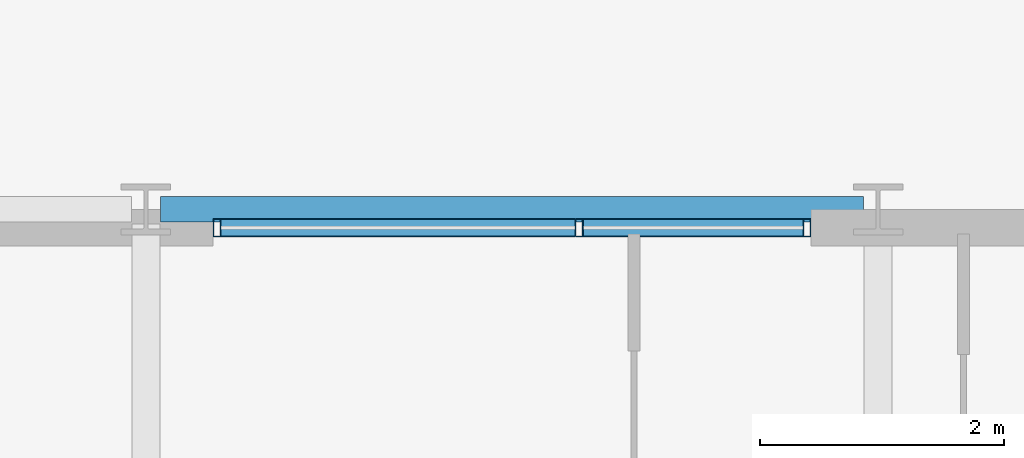
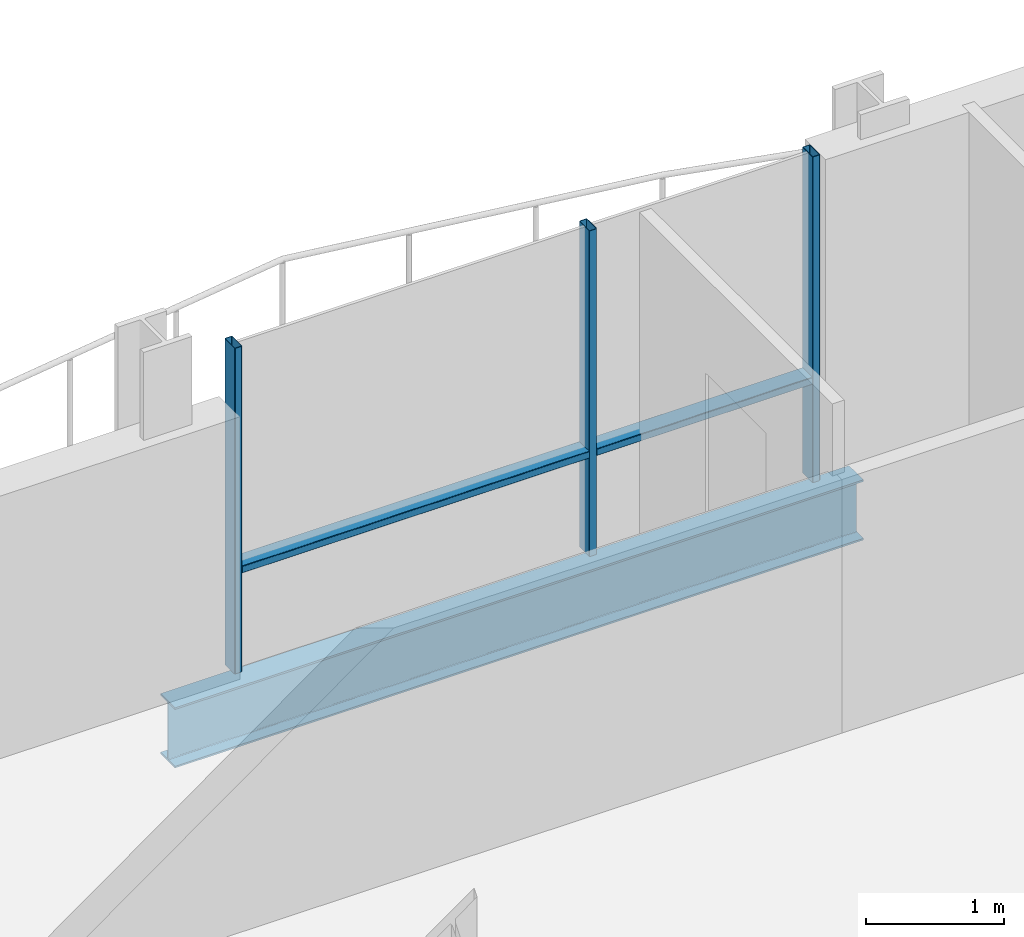
# One storey, part 26 of 41: 5 members, 1 beam, 1 element without a shape of its own.
"""IFC4 building model written with IfcOpenShell, lengths in metres."""

import ifcopenshell
import ifcopenshell.guid

model = None  # the IFC model being written
_history = None  # IfcOwnerHistory: only IFC2X3 demands one
_inside = {}  # id of a spatial element -> (the spatial element, [elements in it])
_under = {}  # id of a project, library or spatial element -> (it, [spatial elements below it])
_declared = {}  # id of a project -> (the project, [libraries it declares])
_typed = {}  # id of a type object -> (the type object, [elements of that type])
_made_of = {}  # id of a material, layer set ... -> (it, [elements and type objects made of it])


def new_model(schema):
    """Start an empty IFC model of exactly this schema.

    Asked for "IFC4X3", IfcOpenShell would pick the latest addendum, in which some entities
    have other attributes; the version numbers below select the first issue.
    IFC2X3 requires an IfcOwnerHistory on every rooted entity: one is made here for all.
    """
    global model, _history
    if schema == "IFC4X3":
        model = ifcopenshell.file(schema_version=(4, 3, 0, 0))
    else:
        model = ifcopenshell.file(schema=schema)
    _inside.clear()
    _under.clear()
    _declared.clear()
    _typed.clear()
    _made_of.clear()
    _history = None
    if model.schema == "IFC2X3":
        org = make("IfcOrganization", Name="unknown")
        user = make(
            "IfcPersonAndOrganization",
            ThePerson=make("IfcPerson", FamilyName="unknown"),
            TheOrganization=org,
        )
        app = make(
            "IfcApplication",
            ApplicationDeveloper=org,
            Version="unknown",
            ApplicationFullName="unknown",
            ApplicationIdentifier="unknown",
        )
        _history = make(
            "IfcOwnerHistory",
            OwningUser=user,
            OwningApplication=app,
            ChangeAction="ADDED",
            CreationDate=0,
        )
    return model


def make(cls, **values):
    """One entity of the class cls with the attributes given. An attribute that is None is left unset."""
    return model.create_entity(
        cls, **{name: value for name, value in values.items() if value is not None}
    )


def rooted(cls, **values):
    """An entity with a GlobalId (a new one), such as an element, a storey or a relation."""
    return make(cls, GlobalId=ifcopenshell.guid.new(), OwnerHistory=_history, **values)


def si_unit(unit_type, name, prefix=None):
    """IfcSIUnit, for example si_unit("LENGTHUNIT", "METRE", prefix="MILLI")."""
    return make("IfcSIUnit", UnitType=unit_type, Prefix=prefix, Name=name)


def assignment(units):
    """IfcUnitAssignment: the units of a project."""
    return None if units is None else make("IfcUnitAssignment", Units=units)


def point(xyz):
    """IfcCartesianPoint."""
    return None if xyz is None else make("IfcCartesianPoint", Coordinates=xyz)


def direction(xyz):
    """IfcDirection."""
    return None if xyz is None else make("IfcDirection", DirectionRatios=xyz)


def frame(location, z_axis=None, x_axis=None):
    """IfcAxis2Placement3D, a coordinate frame: its origin and axes. An axis left out is left unset."""
    return make(
        "IfcAxis2Placement3D",
        Location=point(location),
        Axis=direction(z_axis),
        RefDirection=direction(x_axis),
    )


def frame_2d(location, x_axis=None):
    """IfcAxis2Placement2D, a coordinate frame in the plane: its origin and x axis."""
    return make(
        "IfcAxis2Placement2D", Location=point(location), RefDirection=direction(x_axis)
    )


def origin():
    """The frame at (0, 0, 0) with its axes left unset."""
    return frame((0.0, 0.0, 0.0))


def origin_2d():
    """The frame at (0, 0) in the plane with its x axis left unset."""
    return frame_2d((0.0, 0.0))


def place(relative_to, where):
    """IfcLocalPlacement: puts the frame where relative to a parent placement (None: the world)."""
    return make(
        "IfcLocalPlacement", PlacementRelTo=relative_to, RelativePlacement=where
    )


def context(
    kind, dimensions, precision=None, world=None, true_north=None, identifier=None
):
    """IfcGeometricRepresentationContext, for example the 3D "Model" context."""
    return make(
        "IfcGeometricRepresentationContext",
        ContextIdentifier=identifier,
        ContextType=kind,
        CoordinateSpaceDimension=dimensions,
        Precision=precision,
        WorldCoordinateSystem=world,
        TrueNorth=true_north,
    )


def subcontext(parent, identifier, kind, view, scale=None):
    """IfcGeometricRepresentationSubContext, for example "Body" below "Model"."""
    return make(
        "IfcGeometricRepresentationSubContext",
        ContextIdentifier=identifier,
        ContextType=kind,
        ParentContext=parent,
        TargetScale=scale,
        TargetView=view,
    )


def project(units=None, contexts=None):
    """IfcProject with its units and contexts."""
    return rooted(
        "IfcProject",
        Name="project",
        RepresentationContexts=contexts,
        UnitsInContext=assignment(units),
    )


def spatial(cls, under=None, at=None, **own):
    """A site, building, storey or space (cls), placed at a placement, below another one or the project."""
    s = rooted(cls, ObjectPlacement=at, **own)
    if under is not None:
        _under.setdefault(under.id(), (under, []))[1].append(s)
    return s


def profile(cls, at=None, kind="AREA", **sizes):
    """A parametric profile (cls). Its sizes go by their IFC names, for example OverallWidth=200.0."""
    return make(cls, ProfileType=kind, Position=at, **sizes)


def hollow_rectangle(**sizes):
    """IfcRectangleHollowProfileDef."""
    return profile("IfcRectangleHollowProfileDef", **sizes)


def i_section(**sizes):
    """IfcIShapeProfileDef."""
    return profile("IfcIShapeProfileDef", **sizes)


def extrude(swept, where, along, depth):
    """IfcExtrudedAreaSolid: the profile swept, set in the frame where, extruded along a direction by depth."""
    return make(
        "IfcExtrudedAreaSolid",
        SweptArea=swept,
        Position=where,
        ExtrudedDirection=direction(along),
        Depth=depth,
    )


def shape(context_of_items, identifier, shape_type, items):
    """IfcShapeRepresentation: the items that make up one representation, for example the "Body"."""
    return make(
        "IfcShapeRepresentation",
        ContextOfItems=context_of_items,
        RepresentationIdentifier=identifier,
        RepresentationType=shape_type,
        Items=items,
    )


def material(Name=None, Category=None):
    """IfcMaterial."""
    return make("IfcMaterial", Name=Name, Category=Category)


def layer(
    of_material, thickness, ventilated=None, Name=None, Category=None, Priority=None
):
    """IfcMaterialLayer: one layer of a wall or slab, of a material (None: an air gap)."""
    return make(
        "IfcMaterialLayer",
        Material=of_material,
        LayerThickness=thickness,
        IsVentilated=ventilated,
        Name=Name,
        Category=Category,
        Priority=Priority,
    )


def layer_set(layers, Name=None):
    """IfcMaterialLayerSet."""
    return make("IfcMaterialLayerSet", MaterialLayers=layers, LayerSetName=Name)


def material_profile(
    of_material, cross_section, Name=None, Category=None, Priority=None
):
    """IfcMaterialProfile: a cross section and its material."""
    return make(
        "IfcMaterialProfile",
        Name=Name,
        Material=of_material,
        Profile=cross_section,
        Priority=Priority,
        Category=Category,
    )


def profile_set(profiles, Name=None, composite=None):
    """IfcMaterialProfileSet."""
    return make(
        "IfcMaterialProfileSet",
        Name=Name,
        MaterialProfiles=profiles,
        CompositeProfile=composite,
    )


def made_of(thing, what):
    """Note that an element or type object is made of a material, layer set ...; save() writes the relation."""
    if what is not None:
        _made_of.setdefault(what.id(), (what, []))[1].append(thing)
    return thing


def type_object(cls, material=None, **own):
    """A type object (cls), such as IfcWallType, which elements share."""
    return made_of(rooted(cls, **own), material)


def element(
    cls,
    number,
    at=None,
    inside=None,
    cuts=None,
    type_object=None,
    material=None,
    context=None,
    identifier="Body",
    shape_type=None,
    held_by="IfcProductDefinitionShape",
    body=None,
    shapes=None,
    **own,
):
    """One element of the class cls, such as IfcWall. Its Tag is "e" and its number.

    at: its placement. inside: the storey or other place that contains it. cuts: it is an
    opening in that element (IfcRelVoidsElement). A single representation is given by context,
    identifier, shape_type and body (its items); several are given by shapes. held_by: the class
    of the entity that holds the representations. save() writes the other relations.
    """
    e = rooted(cls, Tag="e%d" % number, ObjectPlacement=at, **own)
    if body is not None:
        shapes = [shape(context, identifier, shape_type, body)]
    if shapes is not None:
        e.Representation = make(held_by, Representations=shapes)
    if inside is not None:
        _inside.setdefault(inside.id(), (inside, []))[1].append(e)
    if cuts is not None:
        rooted(
            "IfcRelVoidsElement", RelatingBuildingElement=cuts, RelatedOpeningElement=e
        )
    if type_object is not None:
        _typed.setdefault(type_object.id(), (type_object, []))[1].append(e)
    return made_of(e, material)


def aggregate(whole, parts):
    """IfcRelAggregates: a whole, such as a stair, and the parts it consists of."""
    return rooted("IfcRelAggregates", RelatingObject=whole, RelatedObjects=parts)


def save(model, path):
    """Write the relations noted so far, then the file.

    IfcRelAggregates (storeys below a building ...), IfcRelContainedInSpatialStructure (elements
    in a storey), IfcRelDefinesByType, IfcRelAssociatesMaterial and IfcRelDeclares: one each for
    every whole, place, type object, material and project.
    """
    for whole, parts in _under.values():
        aggregate(whole, parts)
    for where, things in _inside.values():
        rooted(
            "IfcRelContainedInSpatialStructure",
            RelatedElements=things,
            RelatingStructure=where,
        )
    for kind, things in _typed.values():
        rooted("IfcRelDefinesByType", RelatedObjects=things, RelatingType=kind)
    for what, things in _made_of.values():
        rooted("IfcRelAssociatesMaterial", RelatedObjects=things, RelatingMaterial=what)
    for by, libraries in _declared.values():
        rooted("IfcRelDeclares", RelatingContext=by, RelatedDefinitions=libraries)
    model.write(path)


model = new_model("IFC4")

# Units and contexts
model_context = context("Model", 3, precision=1e-05, world=origin(), true_north=direction((0.0, 1.0)))
body_context = subcontext(model_context, "Body", "Model", "MODEL_VIEW")
ifc_project = project(units=[si_unit("LENGTHUNIT", "METRE"), si_unit("AREAUNIT", "SQUARE_METRE"), si_unit("VOLUMEUNIT", "CUBIC_METRE"), si_unit("PLANEANGLEUNIT", "RADIAN"), si_unit("MASSUNIT", "GRAM", prefix="KILO")], contexts=[model_context])

# Site, building, storey
site_placement = place(None, origin())
site = spatial("IfcSite", under=ifc_project, at=site_placement, CompositionType="ELEMENT")
building_placement = place(site_placement, origin())
building = spatial("IfcBuilding", under=site, at=building_placement, Name="Brevholm Reach", CompositionType="ELEMENT")
storey_placement = place(building_placement, frame((0.0, 0.0, 157.300048828125)))
storey = spatial("IfcBuildingStorey", under=building, at=storey_placement, Name="L47", CompositionType="ELEMENT", Elevation=157.300048828125)

# Beam
ifc_material_1 = material(Name="Structural Steel S355J2", Category="steel")
ifc_material_profile_1 = material_profile(ifc_material_1, i_section(OverallWidth=0.209228515625, OverallDepth=0.533203125, WebThickness=0.010009765625, FlangeThickness=0.015625, FilletRadius=0.0126953125, at=origin_2d()), Name="UKB 533x210x92")
ifc_profile_set_1 = profile_set([ifc_material_profile_1], Name="Structural Steel S355J2")
beam_type = type_object("IfcBeamType", Name="BM-SP533", PredefinedType="SPANDREL", material=ifc_profile_set_1)
beam_placement = place(storey_placement, frame((48.1201171875, 31.0, -0.486572265625), z_axis=(1.0, 0.0, 0.0), x_axis=(0.0, 1.0, 0.0)))
element("IfcBeam", 1, at=beam_placement, inside=storey, type_object=beam_type, Name="L47 SP-02 Framing Beam", PredefinedType="SPANDREL", context=body_context, shape_type="SweptSolid", body=[
    extrude(i_section(OverallWidth=0.209228515625, OverallDepth=0.533203125, WebThickness=0.010009765625, FlangeThickness=0.015625, FilletRadius=0.0126953125, at=origin_2d()), origin(), (0.0, 0.0, 1.0), 5.759765625),
])

# Curtain wall, members
ifc_material_2 = material(Name="Dark Anodised Aluminium 6063-T6 and Solar-Control Glass", Category="aluminium")
ifc_layer = layer(ifc_material_2, 0.14990234375)
ifc_layer_set = layer_set([ifc_layer], Name="Dark Anodised Aluminium 6063-T6 and Solar-Control Glass")
curtain_wall_type = type_object("IfcCurtainWallType", Name="CW-01", PredefinedType="NOTDEFINED", material=ifc_layer_set)
curtain_wall_placement = place(storey_placement, origin())
curtain_wall = element("IfcCurtainWall", 2, at=curtain_wall_placement, inside=storey, type_object=curtain_wall_type, Name="L47 Curtain Wall CW-01", PredefinedType="NOTDEFINED")
ifc_material_3 = material(Name="Dark Anodised Aluminium 6063-T6", Category="aluminium")
ifc_material_profile_2 = material_profile(ifc_material_3, hollow_rectangle(XDim=0.06494140625, YDim=0.14990234375, WallThickness=0.0048828125, InnerFilletRadius=0.0048828125, OuterFilletRadius=0.010009765625, at=origin_2d()), Name="RHS 150x65x5")
ifc_profile_set_2 = profile_set([ifc_material_profile_2], Name="Dark Anodised Aluminium 6063-T6")
member_type_1 = type_object("IfcMemberType", Name="CWM-150", PredefinedType="MULLION", material=ifc_profile_set_2)
member_1_placement = place(storey_placement, frame((48.58251953125, 30.85009765625, 0.0), z_axis=(0.0, 0.0, 1.0), x_axis=(1.0, 0.0, 0.0)))
member_1 = element("IfcMember", 3, at=member_1_placement, type_object=member_type_1, Name="CM-150 Mullion 1", PredefinedType="MULLION", context=body_context, shape_type="SweptSolid", body=[
    extrude(hollow_rectangle(XDim=0.06494140625, YDim=0.14990234375, WallThickness=0.0048828125, InnerFilletRadius=0.0048828125, OuterFilletRadius=0.010009765625, at=origin_2d()), origin(), (0.0, 0.0, 1.0), 2.8798828125),
])
member_2_placement = place(storey_placement, frame((51.550048828125, 30.85009765625, 0.0), z_axis=(0.0, 0.0, 1.0), x_axis=(1.0, 0.0, 0.0)))
member_2 = element("IfcMember", 4, at=member_2_placement, type_object=member_type_1, Name="CM-150 Mullion 2", PredefinedType="MULLION", context=body_context, shape_type="SweptSolid", body=[
    extrude(hollow_rectangle(XDim=0.06494140625, YDim=0.14990234375, WallThickness=0.0048828125, InnerFilletRadius=0.0048828125, OuterFilletRadius=0.010009765625, at=origin_2d()), origin(), (0.0, 0.0, 1.0), 2.8798828125),
])
member_3_placement = place(storey_placement, frame((53.41748046875, 30.85009765625, 0.0), z_axis=(0.0, 0.0, 1.0), x_axis=(1.0, 0.0, 0.0)))
member_3 = element("IfcMember", 5, at=member_3_placement, type_object=member_type_1, Name="CM-150 Mullion 3", PredefinedType="MULLION", context=body_context, shape_type="SweptSolid", body=[
    extrude(hollow_rectangle(XDim=0.06494140625, YDim=0.14990234375, WallThickness=0.0048828125, InnerFilletRadius=0.0048828125, OuterFilletRadius=0.010009765625, at=origin_2d()), origin(), (0.0, 0.0, 1.0), 2.8798828125),
])
ifc_material_4 = material(Name="Dark Anodised Aluminium 6063-T6", Category="aluminium")
ifc_material_profile_3 = material_profile(ifc_material_4, hollow_rectangle(XDim=0.06494140625, YDim=0.14990234375, WallThickness=0.0048828125, InnerFilletRadius=0.0048828125, OuterFilletRadius=0.010009765625, at=origin_2d()), Name="RHS 150x65x5")
ifc_profile_set_3 = profile_set([ifc_material_profile_3], Name="Dark Anodised Aluminium 6063-T6")
member_type_2 = type_object("IfcMemberType", Name="CWT-150", PredefinedType="NOTDEFINED", material=ifc_profile_set_3)
member_4_placement = place(storey_placement, frame((48.614990234375, 30.85009765625, 0.89990234375), z_axis=(1.0, 0.0, 0.0), x_axis=(0.0, 0.0, 1.0)))
member_4 = element("IfcMember", 6, at=member_4_placement, type_object=member_type_2, Name="CT-150 Transom 1.1", ObjectType="TRANSOM", PredefinedType="USERDEFINED", context=body_context, shape_type="SweptSolid", body=[
    extrude(hollow_rectangle(XDim=0.06494140625, YDim=0.14990234375, WallThickness=0.0048828125, InnerFilletRadius=0.0048828125, OuterFilletRadius=0.010009765625, at=origin_2d()), origin(), (0.0, 0.0, 1.0), 2.902587890625),
])
member_5_placement = place(storey_placement, frame((51.58251953125, 30.85009765625, 0.89990234375), z_axis=(1.0, 0.0, 0.0), x_axis=(0.0, 0.0, 1.0)))
member_5 = element("IfcMember", 7, at=member_5_placement, type_object=member_type_2, Name="CT-150 Transom 2.1", ObjectType="TRANSOM", PredefinedType="USERDEFINED", context=body_context, shape_type="SweptSolid", body=[
    extrude(hollow_rectangle(XDim=0.06494140625, YDim=0.14990234375, WallThickness=0.0048828125, InnerFilletRadius=0.0048828125, OuterFilletRadius=0.010009765625, at=origin_2d()), origin(), (0.0, 0.0, 1.0), 1.802490234375),
])
aggregate(curtain_wall, [member_1, member_2, member_3, member_4, member_5])

save(model, "model.ifc")
